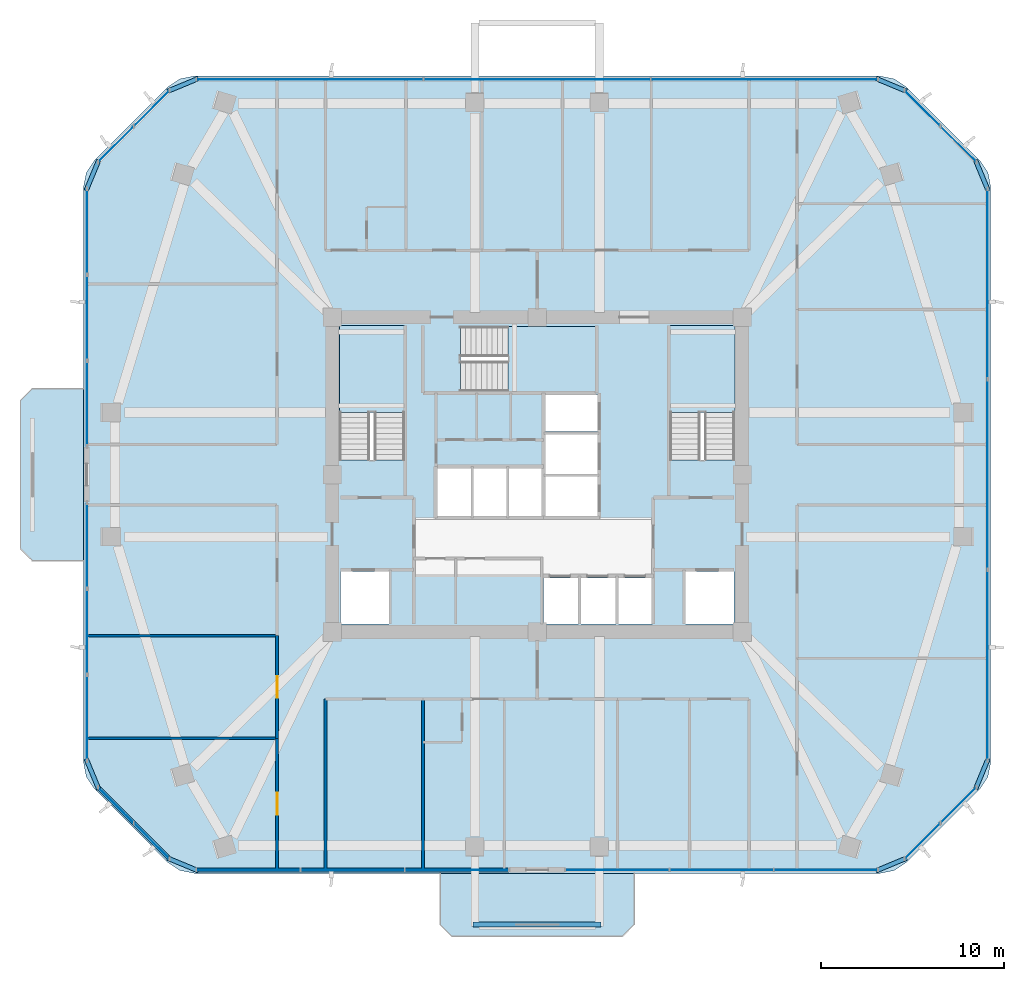
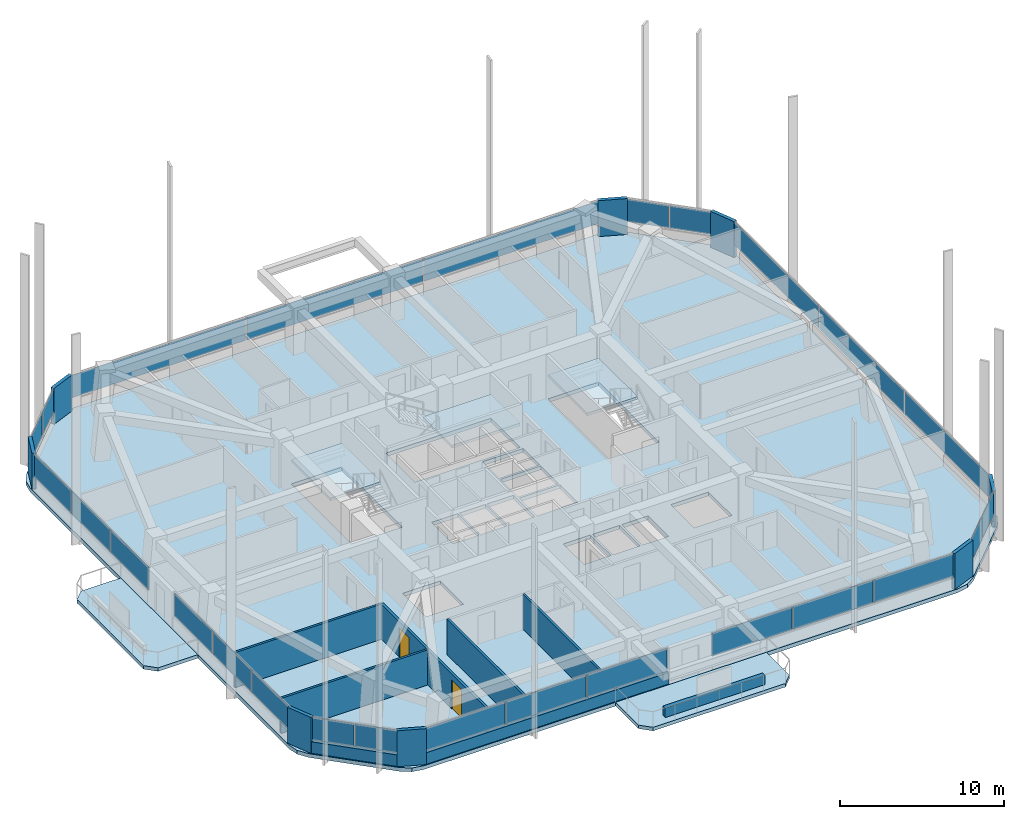
# One storey, part 7 of 15: 34 plates, 9 walls, 6 slabs, 2 doors, 2 openings, 13 elements without a shape of their own.
"""IFC4 building model written with IfcOpenShell, lengths in metres."""

from ifc_helpers import new_model, si_unit, derived_unit, direction, frame, frame_2d, origin, origin_2d, place, context, subcontext, project, spatial, polyline, rectangle, outline, extrude, material, layer, layer_set, type_object, element, fill, aggregate, save


model = new_model("IFC4")

# Units and contexts
model_context = context("Model", 3, precision=1e-05, world=origin(), true_north=direction((0.0, 1.0)))
body_context = subcontext(model_context, "Body", "Model", "MODEL_VIEW")
ifc_project = project(units=[si_unit("LENGTHUNIT", "METRE"), si_unit("AREAUNIT", "SQUARE_METRE"), si_unit("VOLUMEUNIT", "CUBIC_METRE"), si_unit("PLANEANGLEUNIT", "RADIAN"), si_unit("MASSUNIT", "GRAM", prefix="KILO"), derived_unit("THERMALTRANSMITTANCEUNIT", [(si_unit("POWERUNIT", "WATT"), 1), (si_unit("LENGTHUNIT", "METRE"), -2), (si_unit("THERMODYNAMICTEMPERATUREUNIT", "KELVIN"), -1)])], contexts=[model_context])

# Site, building, storey
site_placement = place(None, origin())
site = spatial("IfcSite", under=ifc_project, at=site_placement, CompositionType="ELEMENT")
building_placement = place(site_placement, origin())
building = spatial("IfcBuilding", under=site, at=building_placement, Name="Koralith Skygarden Medical Center", CompositionType="ELEMENT")
storey_placement = place(building_placement, frame((0.0, 0.0, 113.580078125)))
storey = spatial("IfcBuildingStorey", under=building, at=storey_placement, Name="L29", CompositionType="ELEMENT", Elevation=113.580078125)

# Curtain wall, plates
ifc_material_1 = material(Name="Clear Laminated Glass", Category="glass")
curtain_wall_type = type_object("IfcCurtainWallType", Name="CW-3 Zone 2 Faceted Solar Curtain Wall", PredefinedType="NOTDEFINED", material=ifc_material_1)
curtain_wall_1_placement = place(storey_placement, origin())
curtain_wall_1 = element("IfcCurtainWall", 1, at=curtain_wall_1_placement, inside=storey, type_object=curtain_wall_type, Name="Curtain Wall CW-L29-S-L", PredefinedType="NOTDEFINED")
ifc_layer_1 = layer(ifc_material_1, 0.033935546875)
ifc_layer_set_1 = layer_set([ifc_layer_1], Name="Clear Laminated Glass")
plate_type_1 = type_object("IfcPlateType", Name="CW-3 Hurricane Laminated IGU Panel 34", PredefinedType="CURTAIN_PANEL", material=ifc_layer_set_1)
plate_1_placement = place(storey_placement, frame((21.218994140625, 4.299072265625, 0.919921875), z_axis=(0.0, 0.0, 1.0), x_axis=(1.0, 0.0, 0.0)))
plate_1 = element("IfcPlate", 2, at=plate_1_placement, type_object=plate_type_1, Name="CW-L29-S-L Glazed Panel 1", PredefinedType="CURTAIN_PANEL", context=body_context, shape_type="SweptSolid", body=[
    extrude(rectangle(XDim=5.60595703125, YDim=0.033935546875, at=origin_2d()), origin(), (0.0, 0.0, 1.0), 1.679931640625),
])
plate_2_placement = place(storey_placement, frame((26.9150390625, 4.299072265625, 0.919921875), z_axis=(0.0, 0.0, 1.0), x_axis=(1.0, 0.0, 0.0)))
plate_2 = element("IfcPlate", 3, at=plate_2_placement, type_object=plate_type_1, Name="CW-L29-S-L Glazed Panel 2", PredefinedType="CURTAIN_PANEL", context=body_context, shape_type="SweptSolid", body=[
    extrude(rectangle(XDim=5.60595703125, YDim=0.033935546875, at=origin_2d()), origin(), (0.0, 0.0, 1.0), 1.679931640625),
])
plate_3_placement = place(storey_placement, frame((32.611083984375, 4.299072265625, 0.919921875), z_axis=(0.0, 0.0, 1.0), x_axis=(1.0, 0.0, 0.0)))
plate_3 = element("IfcPlate", 4, at=plate_3_placement, type_object=plate_type_1, Name="CW-L29-S-L Glazed Panel 3", PredefinedType="CURTAIN_PANEL", context=body_context, shape_type="SweptSolid", body=[
    extrude(rectangle(XDim=5.60595703125, YDim=0.033935546875, at=origin_2d()), origin(), (0.0, 0.0, 1.0), 1.679931640625),
])
aggregate(curtain_wall_1, [plate_1, plate_2, plate_3])

curtain_wall_2_placement = place(storey_placement, origin())
curtain_wall_2 = element("IfcCurtainWall", 5, at=curtain_wall_2_placement, inside=storey, type_object=curtain_wall_type, Name="Curtain Wall CW-L29-S-R", PredefinedType="NOTDEFINED")
plate_4_placement = place(storey_placement, frame((41.386962890625, 4.299072265625, 0.919921875), z_axis=(0.0, 0.0, 1.0), x_axis=(1.0, 0.0, 0.0)))
plate_4 = element("IfcPlate", 6, at=plate_4_placement, type_object=plate_type_1, Name="CW-L29-S-R Glazed Panel 1", PredefinedType="CURTAIN_PANEL", context=body_context, shape_type="SweptSolid", body=[
    extrude(rectangle(XDim=5.60693359375, YDim=0.033935546875, at=origin_2d()), origin(), (0.0, 0.0, 1.0), 1.679931640625),
])
plate_5_placement = place(storey_placement, frame((47.083984375, 4.299072265625, 0.919921875), z_axis=(0.0, 0.0, 1.0), x_axis=(1.0, 0.0, 0.0)))
plate_5 = element("IfcPlate", 7, at=plate_5_placement, type_object=plate_type_1, Name="CW-L29-S-R Glazed Panel 2", PredefinedType="CURTAIN_PANEL", context=body_context, shape_type="SweptSolid", body=[
    extrude(rectangle(XDim=5.60693359375, YDim=0.033935546875, at=origin_2d()), origin(), (0.0, 0.0, 1.0), 1.679931640625),
])
plate_6_placement = place(storey_placement, frame((52.781005859375, 4.299072265625, 0.919921875), z_axis=(0.0, 0.0, 1.0), x_axis=(1.0, 0.0, 0.0)))
plate_6 = element("IfcPlate", 8, at=plate_6_placement, type_object=plate_type_1, Name="CW-L29-S-R Glazed Panel 3", PredefinedType="CURTAIN_PANEL", context=body_context, shape_type="SweptSolid", body=[
    extrude(rectangle(XDim=5.60693359375, YDim=0.033935546875, at=origin_2d()), origin(), (0.0, 0.0, 1.0), 1.679931640625),
])
aggregate(curtain_wall_2, [plate_4, plate_5, plate_6])

curtain_wall_3_placement = place(storey_placement, origin())
curtain_wall_3 = element("IfcCurtainWall", 9, at=curtain_wall_3_placement, inside=storey, type_object=curtain_wall_type, Name="Curtain Wall CW-L29-SE", PredefinedType="NOTDEFINED")
plate_7_placement = place(storey_placement, frame((58.06103515625, 5.882080078125, 0.919921875), z_axis=(0.0, 0.0, 1.0), x_axis=(0.707106781187, 0.707106781187, 0.0)))
plate_7 = element("IfcPlate", 10, at=plate_7_placement, type_object=plate_type_1, Name="CW-L29-SE Glazed Panel 1", PredefinedType="CURTAIN_PANEL", context=body_context, shape_type="SweptSolid", body=[
    extrude(rectangle(XDim=2.68408203125, YDim=0.033935546875, at=origin_2d()), origin(), (0.0, 0.0, 1.0), 1.679931640625),
])
plate_8_placement = place(storey_placement, frame((60.02197265625, 7.843017578125, 0.919921875), z_axis=(0.0, 0.0, 1.0), x_axis=(0.707106781187, 0.707106781187, 0.0)))
plate_8 = element("IfcPlate", 11, at=plate_8_placement, type_object=plate_type_1, Name="CW-L29-SE Glazed Panel 2", PredefinedType="CURTAIN_PANEL", context=body_context, shape_type="SweptSolid", body=[
    extrude(rectangle(XDim=2.68408203125, YDim=0.033935546875, at=origin_2d()), origin(), (0.0, 0.0, 1.0), 1.679931640625),
])
aggregate(curtain_wall_3, [plate_7, plate_8])

curtain_wall_4_placement = place(storey_placement, origin())
curtain_wall_4 = element("IfcCurtainWall", 12, at=curtain_wall_4_placement, inside=storey, type_object=curtain_wall_type, Name="Curtain Wall CW-L29-E", PredefinedType="NOTDEFINED")
plate_9_placement = place(storey_placement, frame((61.60400390625, 15.48291015625, 0.919921875), z_axis=(0.0, 0.0, 1.0), x_axis=(0.0, 1.0, 0.0)))
plate_9 = element("IfcPlate", 13, at=plate_9_placement, type_object=plate_type_1, Name="CW-L29-E Glazed Panel 1", PredefinedType="CURTAIN_PANEL", context=body_context, shape_type="SweptSolid", body=[
    extrude(rectangle(XDim=10.326904296875, YDim=0.033935546875, at=origin_2d()), origin(), (0.0, 0.0, 1.0), 1.679931640625),
])
plate_10_placement = place(storey_placement, frame((61.60400390625, 25.89990234375, 0.919921875), z_axis=(0.0, 0.0, 1.0), x_axis=(0.0, 1.0, 0.0)))
plate_10 = element("IfcPlate", 14, at=plate_10_placement, type_object=plate_type_1, Name="CW-L29-E Glazed Panel 2", PredefinedType="CURTAIN_PANEL", context=body_context, shape_type="SweptSolid", body=[
    extrude(rectangle(XDim=10.326904296875, YDim=0.033935546875, at=origin_2d()), origin(), (0.0, 0.0, 1.0), 1.679931640625),
])
plate_11_placement = place(storey_placement, frame((61.60400390625, 36.31689453125, 0.919921875), z_axis=(0.0, 0.0, 1.0), x_axis=(0.0, 1.0, 0.0)))
plate_11 = element("IfcPlate", 15, at=plate_11_placement, type_object=plate_type_1, Name="CW-L29-E Glazed Panel 3", PredefinedType="CURTAIN_PANEL", context=body_context, shape_type="SweptSolid", body=[
    extrude(rectangle(XDim=10.326904296875, YDim=0.033935546875, at=origin_2d()), origin(), (0.0, 0.0, 1.0), 1.679931640625),
])
aggregate(curtain_wall_4, [plate_9, plate_10, plate_11])

curtain_wall_5_placement = place(storey_placement, origin())
curtain_wall_5 = element("IfcCurtainWall", 16, at=curtain_wall_5_placement, inside=storey, type_object=curtain_wall_type, Name="Curtain Wall CW-L29-NE", PredefinedType="NOTDEFINED")
plate_12_placement = place(storey_placement, frame((60.02197265625, 43.95703125, 0.919921875), z_axis=(0.0, 0.0, 1.0), x_axis=(-0.707106781187, 0.707106781187, 0.0)))
plate_12 = element("IfcPlate", 17, at=plate_12_placement, type_object=plate_type_1, Name="CW-L29-NE Glazed Panel 1", PredefinedType="CURTAIN_PANEL", context=body_context, shape_type="SweptSolid", body=[
    extrude(rectangle(XDim=2.68408203125, YDim=0.033935546875, at=origin_2d()), origin(), (0.0, 0.0, 1.0), 1.679931640625),
])
plate_13_placement = place(storey_placement, frame((58.06103515625, 45.91796875, 0.919921875), z_axis=(0.0, 0.0, 1.0), x_axis=(-0.707106781187, 0.707106781187, 0.0)))
plate_13 = element("IfcPlate", 18, at=plate_13_placement, type_object=plate_type_1, Name="CW-L29-NE Glazed Panel 2", PredefinedType="CURTAIN_PANEL", context=body_context, shape_type="SweptSolid", body=[
    extrude(rectangle(XDim=2.68408203125, YDim=0.033935546875, at=origin_2d()), origin(), (0.0, 0.0, 1.0), 1.679931640625),
])
aggregate(curtain_wall_5, [plate_12, plate_13])

curtain_wall_6_placement = place(storey_placement, origin())
curtain_wall_6 = element("IfcCurtainWall", 19, at=curtain_wall_6_placement, inside=storey, type_object=curtain_wall_type, Name="Curtain Wall CW-L29-N", PredefinedType="NOTDEFINED")
plate_14_placement = place(storey_placement, frame((49.4189453125, 47.5009765625, 0.919921875), z_axis=(0.0, 0.0, 1.0), x_axis=(-1.0, 0.0, 0.0)))
plate_14 = element("IfcPlate", 20, at=plate_14_placement, type_object=plate_type_1, Name="CW-L29-N Glazed Panel 1", PredefinedType="CURTAIN_PANEL", context=body_context, shape_type="SweptSolid", body=[
    extrude(rectangle(XDim=12.3291015625, YDim=0.033935546875, at=origin_2d()), origin(), (0.0, 0.0, 1.0), 1.679931640625),
])
plate_15_placement = place(storey_placement, frame((37.0, 47.5009765625, 0.919921875), z_axis=(0.0, 0.0, 1.0), x_axis=(-1.0, 0.0, 0.0)))
plate_15 = element("IfcPlate", 21, at=plate_15_placement, type_object=plate_type_1, Name="CW-L29-N Glazed Panel 2", PredefinedType="CURTAIN_PANEL", context=body_context, shape_type="SweptSolid", body=[
    extrude(rectangle(XDim=12.3291015625, YDim=0.033935546875, at=origin_2d()), origin(), (0.0, 0.0, 1.0), 1.679931640625),
])
plate_16_placement = place(storey_placement, frame((24.5810546875, 47.5009765625, 0.919921875), z_axis=(0.0, 0.0, 1.0), x_axis=(-1.0, 0.0, 0.0)))
plate_16 = element("IfcPlate", 22, at=plate_16_placement, type_object=plate_type_1, Name="CW-L29-N Glazed Panel 3", PredefinedType="CURTAIN_PANEL", context=body_context, shape_type="SweptSolid", body=[
    extrude(rectangle(XDim=12.3291015625, YDim=0.033935546875, at=origin_2d()), origin(), (0.0, 0.0, 1.0), 1.679931640625),
])
aggregate(curtain_wall_6, [plate_14, plate_15, plate_16])

curtain_wall_7_placement = place(storey_placement, origin())
curtain_wall_7 = element("IfcCurtainWall", 23, at=curtain_wall_7_placement, inside=storey, type_object=curtain_wall_type, Name="Curtain Wall CW-L29-NW", PredefinedType="NOTDEFINED")
plate_17_placement = place(storey_placement, frame((15.93896484375, 45.91796875, 0.919921875), z_axis=(0.0, 0.0, 1.0), x_axis=(-0.707106781187, -0.707106781187, 0.0)))
plate_17 = element("IfcPlate", 24, at=plate_17_placement, type_object=plate_type_1, Name="CW-L29-NW Glazed Panel 1", PredefinedType="CURTAIN_PANEL", context=body_context, shape_type="SweptSolid", body=[
    extrude(rectangle(XDim=2.68408203125, YDim=0.033935546875, at=origin_2d()), origin(), (0.0, 0.0, 1.0), 1.679931640625),
])
plate_18_placement = place(storey_placement, frame((13.97802734375, 43.95703125, 0.919921875), z_axis=(0.0, 0.0, 1.0), x_axis=(-0.707106781187, -0.707106781187, 0.0)))
plate_18 = element("IfcPlate", 25, at=plate_18_placement, type_object=plate_type_1, Name="CW-L29-NW Glazed Panel 2", PredefinedType="CURTAIN_PANEL", context=body_context, shape_type="SweptSolid", body=[
    extrude(rectangle(XDim=2.68408203125, YDim=0.033935546875, at=origin_2d()), origin(), (0.0, 0.0, 1.0), 1.679931640625),
])
aggregate(curtain_wall_7, [plate_17, plate_18])

curtain_wall_8_placement = place(storey_placement, origin())
curtain_wall_8 = element("IfcCurtainWall", 26, at=curtain_wall_8_placement, inside=storey, type_object=curtain_wall_type, Name="Curtain Wall CW-L29-W-L", PredefinedType="NOTDEFINED")
plate_19_placement = place(storey_placement, frame((12.39599609375, 39.177978515625, 0.919921875), z_axis=(0.0, 0.0, 1.0), x_axis=(0.0, -1.0, 0.0)))
plate_19 = element("IfcPlate", 27, at=plate_19_placement, type_object=plate_type_1, Name="CW-L29-W-L Glazed Panel 1", PredefinedType="CURTAIN_PANEL", context=body_context, shape_type="SweptSolid", body=[
    extrude(rectangle(XDim=4.60498046875, YDim=0.033935546875, at=origin_2d()), origin(), (0.0, 0.0, 1.0), 1.679931640625),
])
plate_20_placement = place(storey_placement, frame((12.39599609375, 34.48291015625, 0.919921875), z_axis=(0.0, 0.0, 1.0), x_axis=(0.0, -1.0, 0.0)))
plate_20 = element("IfcPlate", 28, at=plate_20_placement, type_object=plate_type_1, Name="CW-L29-W-L Glazed Panel 2", PredefinedType="CURTAIN_PANEL", context=body_context, shape_type="SweptSolid", body=[
    extrude(rectangle(XDim=4.60498046875, YDim=0.033935546875, at=origin_2d()), origin(), (0.0, 0.0, 1.0), 1.679931640625),
])
plate_21_placement = place(storey_placement, frame((12.39599609375, 29.7880859375, 0.919921875), z_axis=(0.0, 0.0, 1.0), x_axis=(0.0, -1.0, 0.0)))
plate_21 = element("IfcPlate", 29, at=plate_21_placement, type_object=plate_type_1, Name="CW-L29-W-L Glazed Panel 3", PredefinedType="CURTAIN_PANEL", context=body_context, shape_type="SweptSolid", body=[
    extrude(rectangle(XDim=4.60498046875, YDim=0.033935546875, at=origin_2d()), origin(), (0.0, 0.0, 1.0), 1.679931640625),
])
aggregate(curtain_wall_8, [plate_19, plate_20, plate_21])

curtain_wall_9_placement = place(storey_placement, origin())
curtain_wall_9 = element("IfcCurtainWall", 30, at=curtain_wall_9_placement, inside=storey, type_object=curtain_wall_type, Name="Curtain Wall CW-L29-W-R", PredefinedType="NOTDEFINED")
plate_22_placement = place(storey_placement, frame((12.39599609375, 22.011962890625, 0.919921875), z_axis=(0.0, 0.0, 1.0), x_axis=(0.0, -1.0, 0.0)))
plate_22 = element("IfcPlate", 31, at=plate_22_placement, type_object=plate_type_1, Name="CW-L29-W-R Glazed Panel 1", PredefinedType="CURTAIN_PANEL", context=body_context, shape_type="SweptSolid", body=[
    extrude(rectangle(XDim=4.60498046875, YDim=0.033935546875, at=origin_2d()), origin(), (0.0, 0.0, 1.0), 1.679931640625),
])
plate_23_placement = place(storey_placement, frame((12.39599609375, 17.318115234375, 0.919921875), z_axis=(0.0, 0.0, 1.0), x_axis=(0.0, -1.0, 0.0)))
plate_23 = element("IfcPlate", 32, at=plate_23_placement, type_object=plate_type_1, Name="CW-L29-W-R Glazed Panel 2", PredefinedType="CURTAIN_PANEL", context=body_context, shape_type="SweptSolid", body=[
    extrude(rectangle(XDim=4.60498046875, YDim=0.033935546875, at=origin_2d()), origin(), (0.0, 0.0, 1.0), 1.679931640625),
])
plate_24_placement = place(storey_placement, frame((12.39599609375, 12.623046875, 0.919921875), z_axis=(0.0, 0.0, 1.0), x_axis=(0.0, -1.0, 0.0)))
plate_24 = element("IfcPlate", 33, at=plate_24_placement, type_object=plate_type_1, Name="CW-L29-W-R Glazed Panel 3", PredefinedType="CURTAIN_PANEL", context=body_context, shape_type="SweptSolid", body=[
    extrude(rectangle(XDim=4.60498046875, YDim=0.033935546875, at=origin_2d()), origin(), (0.0, 0.0, 1.0), 1.679931640625),
])
aggregate(curtain_wall_9, [plate_22, plate_23, plate_24])

curtain_wall_10_placement = place(storey_placement, origin())
curtain_wall_10 = element("IfcCurtainWall", 34, at=curtain_wall_10_placement, inside=storey, type_object=curtain_wall_type, Name="Curtain Wall CW-L29-SW", PredefinedType="NOTDEFINED")
plate_25_placement = place(storey_placement, frame((13.97802734375, 7.843017578125, 0.919921875), z_axis=(0.0, 0.0, 1.0), x_axis=(0.707106781187, -0.707106781187, 0.0)))
plate_25 = element("IfcPlate", 35, at=plate_25_placement, type_object=plate_type_1, Name="CW-L29-SW Glazed Panel 1", PredefinedType="CURTAIN_PANEL", context=body_context, shape_type="SweptSolid", body=[
    extrude(rectangle(XDim=2.68408203125, YDim=0.033935546875, at=origin_2d()), origin(), (0.0, 0.0, 1.0), 1.679931640625),
])
plate_26_placement = place(storey_placement, frame((15.93896484375, 5.882080078125, 0.919921875), z_axis=(0.0, 0.0, 1.0), x_axis=(0.707106781187, -0.707106781187, 0.0)))
plate_26 = element("IfcPlate", 36, at=plate_26_placement, type_object=plate_type_1, Name="CW-L29-SW Glazed Panel 2", PredefinedType="CURTAIN_PANEL", context=body_context, shape_type="SweptSolid", body=[
    extrude(rectangle(XDim=2.68408203125, YDim=0.033935546875, at=origin_2d()), origin(), (0.0, 0.0, 1.0), 1.679931640625),
])
aggregate(curtain_wall_10, [plate_25, plate_26])

# Slabs
ifc_material_2 = material(Name="Concrete C45/55", Category="concrete")
ifc_layer_2 = layer(ifc_material_2, 0.260009765625)
ifc_layer_set_2 = layer_set([ifc_layer_2], Name="Concrete C45/55")
slab_type_1 = type_object("IfcSlabType", Name="Cantilevered Planted Balcony Slab 260", PredefinedType="FLOOR", material=ifc_layer_set_2)
slab_1_placement = place(storey_placement, frame((0.0, 0.0, -0.260009765625)))
element("IfcSlab", 37, at=slab_1_placement, inside=storey, type_object=slab_type_1, Name="L29 S Planted Sky-Garden Balcony Slab", PredefinedType="FLOOR", context=body_context, shape_type="SweptSolid", body=[
    extrude(outline(polyline([(32.35009765625, 0.6689453125), (41.64990234375, 0.6689453125), (42.300048828125, 1.319091796875), (42.300048828125, 4.118896484375), (31.699951171875, 4.118896484375), (31.699951171875, 1.319091796875), (32.35009765625, 0.6689453125)])), origin(), (0.0, 0.0, 1.0), 0.260009765625),
])
slab_2_placement = place(storey_placement, frame((0.0, 0.0, -0.260009765625)))
element("IfcSlab", 38, at=slab_2_placement, inside=storey, type_object=slab_type_1, Name="L29 W Planted Sky-Garden Balcony Slab", PredefinedType="FLOOR", context=body_context, shape_type="SweptSolid", body=[
    extrude(outline(polyline([(9.416015625, 21.199951171875), (12.216064453125, 21.199951171875), (12.216064453125, 30.60009765625), (9.416015625, 30.60009765625), (8.76611328125, 29.949951171875), (8.76611328125, 21.85009765625), (9.416015625, 21.199951171875)])), origin(), (0.0, 0.0, 1.0), 0.260009765625),
])

# Stair, slab
stair_type = type_object("IfcStairType", Name="Core Exit Dogleg Concrete Stair", PredefinedType="HALF_TURN_STAIR", material=ifc_material_2)
stair_1_placement = place(storey_placement, origin())
stair_1 = element("IfcStair", 39, at=stair_1_placement, inside=storey, type_object=stair_type, Name="L29 Smokeproof Exit Stair ST1", PredefinedType="HALF_TURN_STAIR")
ifc_layer_3 = layer(ifc_material_2, 0.199951171875)
ifc_layer_set_3 = layer_set([ifc_layer_3], Name="Concrete C45/55")
slab_type_2 = type_object("IfcSlabType", Name="Core Exit Concrete Stair Landing 200", PredefinedType="LANDING", material=ifc_layer_set_3)
slab_3_placement = place(storey_placement, frame((0.0, 0.0, 1.599853515625)))
slab_3 = element("IfcSlab", 40, at=slab_3_placement, type_object=slab_type_2, Name="ST1 landing 1", PredefinedType="LANDING", context=body_context, shape_type="SweptSolid", body=[
    extrude(outline(polyline([(29.75, 29.31005859375), (29.75, 34.050048828125), (26.199951171875, 34.050048828125), (26.199951171875, 29.31005859375), (29.75, 29.31005859375)])), origin(), (0.0, 0.0, 1.0), 0.199951171875),
])
aggregate(stair_1, [slab_3])

stair_2_placement = place(storey_placement, origin())
stair_2 = element("IfcStair", 41, at=stair_2_placement, inside=storey, type_object=stair_type, Name="L29 Smokeproof Exit Stair ST2", PredefinedType="HALF_TURN_STAIR")
slab_4_placement = place(storey_placement, frame((0.0, 0.0, 1.599853515625)))
slab_4 = element("IfcSlab", 42, at=slab_4_placement, type_object=slab_type_2, Name="ST2 landing 1", PredefinedType="LANDING", context=body_context, shape_type="SweptSolid", body=[
    extrude(outline(polyline([(47.800048828125, 29.31005859375), (47.800048828125, 34.050048828125), (44.25, 34.050048828125), (44.25, 29.31005859375), (47.800048828125, 29.31005859375)])), origin(), (0.0, 0.0, 1.0), 0.199951171875),
])
aggregate(stair_2, [slab_4])

stair_3_placement = place(storey_placement, origin())
stair_3 = element("IfcStair", 43, at=stair_3_placement, inside=storey, type_object=stair_type, Name="L29 Smokeproof Exit Stair ST3", PredefinedType="HALF_TURN_STAIR")
slab_5_placement = place(storey_placement, frame((0.0, 0.0, 1.599853515625)))
slab_5 = element("IfcSlab", 44, at=slab_5_placement, type_object=slab_type_2, Name="ST3 landing 1", PredefinedType="LANDING", context=body_context, shape_type="SweptSolid", body=[
    extrude(outline(polyline([(35.409912109375, 30.449951171875), (40.199951171875, 30.449951171875), (40.199951171875, 34.0), (35.409912109375, 34.0), (35.409912109375, 30.449951171875)])), origin(), (0.0, 0.0, 1.0), 0.199951171875),
])
aggregate(stair_3, [slab_5])

# Slab
ifc_layer_4 = layer(ifc_material_2, 0.280029296875)
ifc_layer_set_4 = layer_set([ifc_layer_4], Name="Concrete C45/55")
slab_type_3 = type_object("IfcSlabType", Name="Post-Tensioned Ward Floor Plate 280", PredefinedType="FLOOR", material=ifc_layer_set_4)
slab_6_placement = place(storey_placement, frame((0.0, 0.0, -0.280029296875)))
element("IfcSlab", 45, at=slab_6_placement, inside=storey, type_object=slab_type_3, Name="Level L29 Structural Floor Slab", PredefinedType="FLOOR", context=body_context, shape_type="SweptSolid", body=[
    extrude(outline(polyline([(16.830078125, 4.705078125), (17.47900390625, 4.27197265625), (18.243896484375, 4.118896484375), (55.756103515625, 4.118896484375), (56.52099609375, 4.27197265625), (57.169921875, 4.705078125), (61.197998046875, 8.73388671875), (61.632080078125, 9.383056640625), (61.783935546875, 10.14794921875), (61.783935546875, 41.652099609375), (61.632080078125, 42.4169921875), (61.197998046875, 43.06591796875), (57.169921875, 47.094970703125), (56.52099609375, 47.528076171875), (55.756103515625, 47.679931640625), (18.243896484375, 47.679931640625), (17.47900390625, 47.528076171875), (16.830078125, 47.094970703125), (12.802001953125, 43.06591796875), (12.367919921875, 42.4169921875), (12.216064453125, 41.652099609375), (12.216064453125, 10.14794921875), (12.367919921875, 9.383056640625), (12.802001953125, 8.73388671875), (16.830078125, 4.705078125)]), holes=[polyline([(26.199951171875, 26.705078125), (29.75, 26.705078125), (29.75, 34.050048828125), (26.199951171875, 34.050048828125), (26.199951171875, 26.705078125)]), polyline([(44.25, 26.705078125), (47.800048828125, 26.705078125), (47.800048828125, 34.050048828125), (44.25, 34.050048828125), (44.25, 26.705078125)]), polyline([(32.804931640625, 30.449951171875), (40.199951171875, 30.449951171875), (40.199951171875, 34.0), (32.804931640625, 34.0), (32.804931640625, 30.449951171875)]), polyline([(26.25, 17.75), (28.89990234375, 17.75), (28.89990234375, 20.60009765625), (26.25, 20.60009765625), (26.25, 17.75)]), polyline([(45.10009765625, 17.75), (47.75, 17.75), (47.75, 20.60009765625), (45.10009765625, 20.60009765625), (45.10009765625, 17.75)]), polyline([(37.35009765625, 17.75), (39.25, 17.75), (39.25, 20.25), (37.35009765625, 20.25), (37.35009765625, 17.75)]), polyline([(39.39990234375, 17.75), (41.300048828125, 17.75), (41.300048828125, 20.25), (39.39990234375, 20.25), (39.39990234375, 17.75)]), polyline([(41.449951171875, 17.75), (43.300048828125, 17.75), (43.300048828125, 20.25), (41.449951171875, 20.25), (41.449951171875, 17.75)]), polyline([(31.550048828125, 23.64990234375), (33.39990234375, 23.64990234375), (33.39990234375, 26.25), (31.550048828125, 26.25), (31.550048828125, 23.64990234375)]), polyline([(33.5, 23.64990234375), (35.35009765625, 23.64990234375), (35.35009765625, 26.25), (33.5, 26.25), (33.5, 23.64990234375)]), polyline([(35.449951171875, 23.64990234375), (37.300048828125, 23.64990234375), (37.300048828125, 26.25), (35.449951171875, 26.25), (35.449951171875, 23.64990234375)]), polyline([(37.449951171875, 23.64990234375), (40.300048828125, 23.64990234375), (40.300048828125, 25.800048828125), (37.449951171875, 25.800048828125), (37.449951171875, 23.64990234375)]), polyline([(37.449951171875, 25.949951171875), (40.300048828125, 25.949951171875), (40.300048828125, 28.10009765625), (37.449951171875, 28.10009765625), (37.449951171875, 25.949951171875)]), polyline([(37.449951171875, 28.25), (40.300048828125, 28.25), (40.300048828125, 30.25), (37.449951171875, 30.25), (37.449951171875, 28.25)])]), origin(), (0.0, 0.0, 1.0), 0.280029296875),
])

# Plates
ifc_material_3 = material(Name="Warm Oolitic Limestone Cladding", Category="masonry")
ifc_layer_5 = layer(ifc_material_3, 0.239990234375)
ifc_layer_set_5 = layer_set([ifc_layer_5], Name="Warm Oolitic Limestone Cladding")
plate_type_2 = type_object("IfcPlateType", Name="Rounded-Corner Oolitic Limestone Cladding Panel 240", PredefinedType="USERDEFINED", material=ifc_layer_set_5)
for number, where, z_axis, x_axis, name in (
    (46, (56.35498046875, 4.60009765625, 0.0), (0.0, 0.0, 1.0), (0.923659638286, 0.383213873184, 0.0), "L29 Rounded-Corner Limestone Pier 1"),
    (47, (61.302978515625, 9.550048828125, 0.0), (0.0, 0.0, 1.0), (0.382670532536, 0.92388487569, 0.0), "L29 Rounded-Corner Limestone Pier 2"),
    (48, (61.302978515625, 42.2509765625, 0.0), (0.0, 0.0, 1.0), (-0.382670532536, 0.92388487569, 0.0), "L29 Rounded-Corner Limestone Pier 3"),
    (49, (56.35498046875, 47.199951171875, 0.0), (0.0, 0.0, 1.0), (-0.923659638286, 0.383213873184, 0.0), "L29 Rounded-Corner Limestone Pier 4"),
    (50, (17.64501953125, 47.199951171875, 0.0), (0.0, 0.0, 1.0), (-0.923659638286, -0.383213873184, 0.0), "L29 Rounded-Corner Limestone Pier 5"),
    (51, (12.697021484375, 42.2509765625, 0.0), (0.0, 0.0, 1.0), (-0.382670532536, -0.92388487569, 0.0), "L29 Rounded-Corner Limestone Pier 6"),
    (52, (12.697021484375, 9.550048828125, 0.0), (0.0, 0.0, 1.0), (0.382670532536, -0.92388487569, 0.0), "L29 Rounded-Corner Limestone Pier 7"),
    (53, (17.64501953125, 4.60009765625, 0.0), (0.0, 0.0, 1.0), (0.923659638286, -0.383213873184, 0.0), "L29 Rounded-Corner Limestone Pier 8"),
):
    element("IfcPlate", number, at=place(storey_placement, frame(where, z_axis=z_axis, x_axis=x_axis)), inside=storey, type_object=plate_type_2, Name=name, ObjectType="LIMESTONE CLADDING", PredefinedType="USERDEFINED", context=body_context, shape_type="SweptSolid", body=[
        extrude(rectangle(XDim=1.81103515625, YDim=0.239990234375, at=origin_2d()), origin(), (0.0, 0.0, 1.0), 2.669921875),
    ])

# Walls
ifc_material_4 = material(Name="Gypsum Board Partition")
ifc_layer_6 = layer(ifc_material_4, 0.14990234375)
ifc_layer_set_6 = layer_set([ifc_layer_6], Name="Gypsum Board Partition")
wall_type_1 = type_object("IfcWallType", Name="Clinical Acoustic Partition 150", PredefinedType="PARTITIONING", material=ifc_layer_set_6)
wall_1_placement = place(storey_placement, frame((30.758056640625, 13.639892578125, 0.0), z_axis=(0.0, 0.0, 1.0), x_axis=(0.0, -1.0, 0.0)))
element("IfcWall", 54, at=wall_1_placement, inside=storey, type_object=wall_type_1, Name="L29 Clinical Acoustic Partition 150 W-PART-L29-S-01", PredefinedType="PARTITIONING", context=body_context, shape_type="SweptSolid", body=[
    extrude(rectangle(XDim=9.32080078125, YDim=0.14990234375, at=frame_2d((4.660400390625, 0.0))), origin(), (0.0, 0.0, 1.0), 2.60986328125),
])
for number, where, z_axis, x_axis, name in (
    (55, (22.7900390625, 11.490966796875, 0.0), (0.0, 0.0, 1.0), (-1.0, 0.0, 0.0), "L29 Clinical Acoustic Partition 150 W-PART-L29-WS-01"),
    (56, (22.7900390625, 17.10107421875, 0.0), (0.0, 0.0, 1.0), (-1.0, 0.0, 0.0), "L29 Clinical Acoustic Partition 150 W-PART-L29-WS-02"),
):
    element("IfcWall", number, at=place(storey_placement, frame(where, z_axis=z_axis, x_axis=x_axis)), inside=storey, type_object=wall_type_1, Name=name, PredefinedType="PARTITIONING", context=body_context, shape_type="SweptSolid", body=[
        extrude(rectangle(XDim=10.3740234375, YDim=0.14990234375, at=frame_2d((5.18701171875, 0.0))), origin(), (0.0, 0.0, 1.0), 2.60986328125),
    ])
ifc_layer_7 = layer(ifc_material_4, 0.1650390625)
ifc_layer_set_7 = layer_set([ifc_layer_7], Name="Gypsum Board Partition")
wall_type_2 = type_object("IfcWallType", Name="Clinical Corridor Partition 165", PredefinedType="PARTITIONING", material=ifc_layer_set_7)
wall_2_placement = place(storey_placement, frame((25.429931640625, 4.319091796875, 0.0), z_axis=(0.0, 0.0, 1.0), x_axis=(0.0, 1.0, 0.0)))
element("IfcWall", 57, at=wall_2_placement, inside=storey, type_object=wall_type_2, Name="L29 Clinical Corridor Partition 165 W-HCOR-L29-SW", PredefinedType="PARTITIONING", context=body_context, shape_type="SweptSolid", body=[
    extrude(rectangle(XDim=9.32080078125, YDim=0.1650390625, at=frame_2d((4.660400390625, 0.0))), origin(), (0.0, 0.0, 1.0), 2.60986328125),
])

# Wall, opening, door
wall_3_placement = place(storey_placement, frame((22.7900390625, 4.319091796875, 0.0), z_axis=(0.0, 0.0, 1.0), x_axis=(0.0, 1.0, 0.0)))
wall_3 = element("IfcWall", 58, at=wall_3_placement, inside=storey, type_object=wall_type_2, Name="L29 Clinical Corridor Partition 165 W-CORR-L29-WS-01", PredefinedType="PARTITIONING", context=body_context, shape_type="SweptSolid", body=[
    extrude(rectangle(XDim=7.171875, YDim=0.1650390625, at=frame_2d((3.5859375, 0.0))), origin(), (0.0, 0.0, 1.0), 2.60986328125),
])
opening_1_placement = place(wall_3_placement, frame((2.986083984375, 0.0, 0.0)))
opening_1 = element("IfcOpeningElement", 59, at=opening_1_placement, cuts=wall_3, Name="Opening D-CLN", PredefinedType="OPENING", context=body_context, shape_type="SweptSolid", body=[
    extrude(rectangle(XDim=1.199951171875, YDim=2.14990234375, at=frame_2d((0.60009765625, 1.074951171875))), frame((0.0, 0.092529296875, 0.0), z_axis=(0.0, -1.0, 0.0), x_axis=(1.0, 0.0, 0.0)), (0.0, 0.0, 1.0), 0.18505859375),
])
ifc_material_5 = material(Name="Aluminium 6063-T6", Category="aluminium")
door_type = type_object("IfcDoorType", Name="Clinical Corridor Door D-CLN 1200", OperationType="NOTDEFINED", PredefinedType="DOOR", material=ifc_material_5)
door_1_placement = place(opening_1_placement, frame((1.199951171875, 0.0, 0.0), z_axis=(0.0, 0.0, 1.0), x_axis=(-1.0, 0.0, 0.0)))
door_1 = element("IfcDoor", 60, at=door_1_placement, inside=storey, type_object=door_type, Name="L29 Clinical Consultation Office 11 Door", OperationType="SINGLE_SWING_RIGHT", OverallHeight=2.14990234375, OverallWidth=1.199951171875, PredefinedType="DOOR", context=body_context, shape_type="SweptSolid", body=[
    extrude(rectangle(XDim=1.199951171875, YDim=2.14990234375, at=frame_2d((0.60009765625, 1.074951171875))), frame((0.0, 0.02490234375, 0.0), z_axis=(0.0, -1.0, 0.0), x_axis=(1.0, 0.0, 0.0)), (0.0, 0.0, 1.0), 0.050048828125),
])
fill(opening_1, door_1)

wall_4_placement = place(storey_placement, frame((22.7900390625, 11.490966796875, 0.0), z_axis=(0.0, 0.0, 1.0), x_axis=(0.0, 1.0, 0.0)))
wall_4 = element("IfcWall", 61, at=wall_4_placement, inside=storey, type_object=wall_type_2, Name="L29 Clinical Corridor Partition 165 W-CORR-L29-WS-02", PredefinedType="PARTITIONING", context=body_context, shape_type="SweptSolid", body=[
    extrude(rectangle(XDim=5.610107421875, YDim=0.1650390625, at=frame_2d((2.80517578125, 0.0))), origin(), (0.0, 0.0, 1.0), 2.60986328125),
])
opening_2_placement = place(wall_4_placement, frame((2.205078125, 0.0, 0.0)))
opening_2 = element("IfcOpeningElement", 62, at=opening_2_placement, cuts=wall_4, Name="Opening D-CLN", PredefinedType="OPENING", context=body_context, shape_type="SweptSolid", body=[
    extrude(rectangle(XDim=1.199951171875, YDim=2.14990234375, at=frame_2d((0.60009765625, 1.074951171875))), frame((0.0, 0.092529296875, 0.0), z_axis=(0.0, -1.0, 0.0), x_axis=(1.0, 0.0, 0.0)), (0.0, 0.0, 1.0), 0.18505859375),
])
door_2_placement = place(opening_2_placement, frame((1.199951171875, 0.0, 0.0), z_axis=(0.0, 0.0, 1.0), x_axis=(-1.0, 0.0, 0.0)))
door_2 = element("IfcDoor", 63, at=door_2_placement, inside=storey, type_object=door_type, Name="L29 Cardiopulmonary Rehab Gym Hall 12 Door", OperationType="SINGLE_SWING_LEFT", OverallHeight=2.14990234375, OverallWidth=1.199951171875, PredefinedType="DOOR", context=body_context, shape_type="SweptSolid", body=[
    extrude(rectangle(XDim=1.199951171875, YDim=2.14990234375, at=frame_2d((0.60009765625, 1.074951171875))), frame((0.0, 0.02490234375, 0.0), z_axis=(0.0, -1.0, 0.0), x_axis=(1.0, 0.0, 0.0)), (0.0, 0.0, 1.0), 0.050048828125),
])
fill(opening_2, door_2)

# Walls
ifc_layer_8 = layer(ifc_material_3, 0.239990234375)
ifc_layer_set_8 = layer_set([ifc_layer_8], Name="Warm Oolitic Limestone Cladding")
wall_type_3 = type_object("IfcWallType", Name="Limestone Spandrel Sill Backup Wall 240", PredefinedType="SOLIDWALL", material=ifc_layer_set_8)
wall_5_placement = place(storey_placement, frame((18.37109375, 4.299072265625, 0.0), z_axis=(0.0, 0.0, 1.0), x_axis=(1.0, 0.0, 0.0)))
element("IfcWall", 64, at=wall_5_placement, inside=storey, type_object=wall_type_3, Name="L29 Sill Spandrel S-L", PredefinedType="SOLIDWALL", context=body_context, shape_type="SweptSolid", body=[
    extrude(rectangle(XDim=17.087890625, YDim=0.239990234375, at=frame_2d((8.5439453125, 0.0))), origin(), (0.0, 0.0, 1.0), 0.849853515625),
])
wall_6_placement = place(storey_placement, frame((12.9970703125, 8.823974609375, 0.0), z_axis=(0.0, 0.0, 1.0), x_axis=(0.707084777957, -0.707128783731, 0.0)))
element("IfcWall", 65, at=wall_6_placement, inside=storey, type_object=wall_type_3, Name="L29 Sill Spandrel SW", PredefinedType="SOLIDWALL", context=body_context, shape_type="SweptSolid", body=[
    extrude(rectangle(XDim=5.5478515625, YDim=0.239990234375, at=frame_2d((2.77392578125, 0.0))), origin(), (0.0, 0.0, 1.0), 0.849853515625),
])
ifc_material_6 = material(Name="Precast concrete C40/50", Category="concrete")
ifc_layer_9 = layer(ifc_material_6, 0.25)
ifc_layer_set_9 = layer_set([ifc_layer_9], Name="Precast concrete C40/50")
wall_type_4 = type_object("IfcWallType", Name="Structural Concrete Balcony Planter Kerb 250", PredefinedType="PARAPET", material=ifc_layer_set_9)
wall_7_placement = place(storey_placement, frame((33.5, 1.319091796875, 0.0), z_axis=(0.0, 0.0, 1.0), x_axis=(1.0, 0.0, 0.0)))
element("IfcWall", 66, at=wall_7_placement, inside=storey, type_object=wall_type_4, Name="L29 S Structural Tree PLANTER Box", PredefinedType="PARAPET", context=body_context, shape_type="SweptSolid", body=[
    extrude(rectangle(XDim=7.0, YDim=0.25, at=frame_2d((3.5, 0.0))), origin(), (0.0, 0.0, 1.0), 0.719970703125),
])

save(model, "model.ifc")
